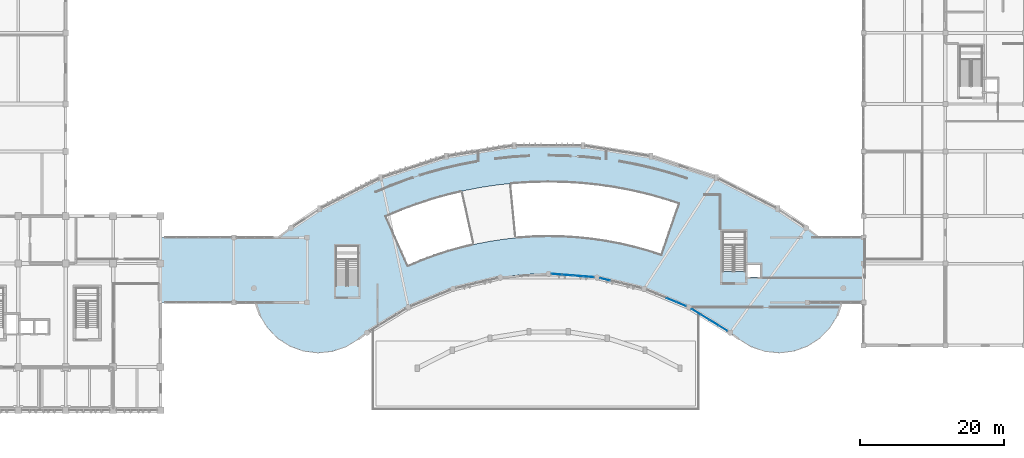
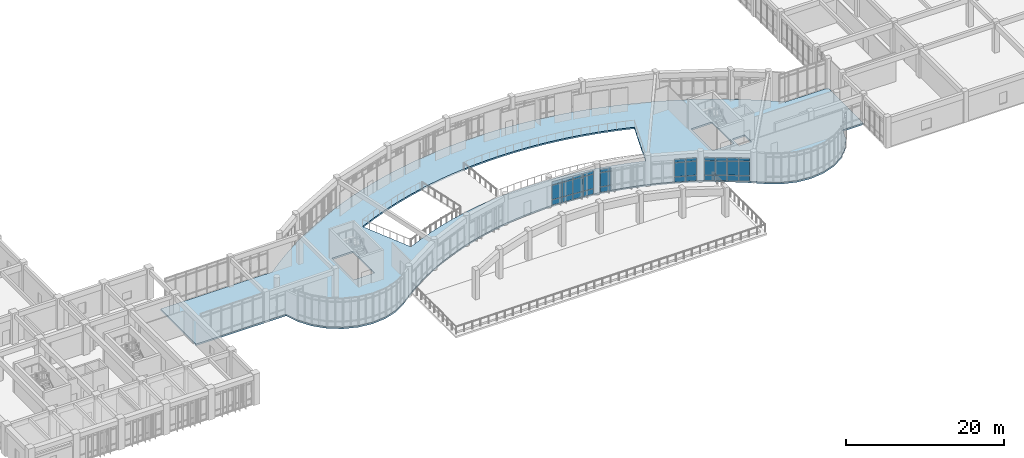
# One storey, part 40 of 65: 33 plates, 1 slab, 6 elements without a shape of their own.
"""IFC4 building model written with IfcOpenShell, lengths in metres."""

from ifc_helpers import new_model, si_unit, direction, frame, origin, origin_2d, place, context, subcontext, project, spatial, polyline, rectangle, outline, extrude, material, layer, layer_set, type_object, element, aggregate, save


model = new_model("IFC4")

# Units and contexts
model_context = context("Model", 3, precision=1e-05, world=origin(), true_north=direction((0.0, 1.0)))
body_context = subcontext(model_context, "Body", "Model", "MODEL_VIEW")
ifc_project = project(units=[si_unit("LENGTHUNIT", "METRE"), si_unit("AREAUNIT", "SQUARE_METRE"), si_unit("VOLUMEUNIT", "CUBIC_METRE"), si_unit("PLANEANGLEUNIT", "RADIAN"), si_unit("MASSUNIT", "GRAM", prefix="KILO")], contexts=[model_context])

# Site, building, storey
site_placement = place(None, origin())
site = spatial("IfcSite", under=ifc_project, at=site_placement, CompositionType="ELEMENT")
building_placement = place(site_placement, origin())
building = spatial("IfcBuilding", under=site, at=building_placement, Name="Miralva Faculty of Natural Sciences", CompositionType="ELEMENT")
storey_placement = place(building_placement, frame((0.0, 0.0, 10.199951171875)))
storey = spatial("IfcBuildingStorey", under=building, at=storey_placement, Name="L02", CompositionType="ELEMENT", Elevation=10.199951171875)

# Curtain wall, plates
ifc_material_1 = material(Name="Laminated solar-control glass", Category="glass")
ifc_layer_1 = layer(ifc_material_1, 0.179931640625, Name="CW-ARC-L01")
ifc_layer_set_1 = layer_set([ifc_layer_1], Name="Laminated solar-control glass")
curtain_wall_type = type_object("IfcCurtainWallType", Name="CW-ARC-L01", PredefinedType="USERDEFINED", material=ifc_layer_set_1)
curtain_wall_1_placement = place(storey_placement, origin())
curtain_wall_1 = element("IfcCurtainWall", 1, at=curtain_wall_1_placement, inside=storey, type_object=curtain_wall_type, Name="Curtain wall CW-02 L02-69", ObjectType="UNITISED CURTAIN WALL", PredefinedType="USERDEFINED")
ifc_layer_2 = layer(ifc_material_1, 0.028076171875, Name="PNL-P01")
ifc_layer_set_2 = layer_set([ifc_layer_2], Name="Laminated solar-control glass")
plate_type = type_object("IfcPlateType", Name="PNL-P01", PredefinedType="CURTAIN_PANEL", material=ifc_layer_set_2)
plate_1_placement = place(storey_placement, frame((91.144775390625, 21.909912109375, 0.06494140625), z_axis=(0.0, 0.0, 1.0), x_axis=(0.99691711744, -0.078461843942, 0.0)))
plate_1 = element("IfcPlate", 2, at=plate_1_placement, type_object=plate_type, Name="CW-02 panel 1.1", PredefinedType="CURTAIN_PANEL", context=body_context, shape_type="SweptSolid", body=[
    extrude(rectangle(XDim=1.39697265625, YDim=0.028076171875, at=origin_2d()), origin(), (0.0, 0.0, 1.0), 0.802490234375),
])
plate_2_placement = place(storey_placement, frame((91.144775390625, 21.909912109375, 0.9326171875), z_axis=(0.0, 0.0, 1.0), x_axis=(0.99691711744, -0.078461843942, 0.0)))
plate_2 = element("IfcPlate", 3, at=plate_2_placement, type_object=plate_type, Name="CW-02 panel 1.2", PredefinedType="CURTAIN_PANEL", context=body_context, shape_type="SweptSolid", body=[
    extrude(rectangle(XDim=1.39697265625, YDim=0.028076171875, at=origin_2d()), origin(), (0.0, 0.0, 1.0), 2.18994140625),
])
plate_3_placement = place(storey_placement, frame((91.144775390625, 21.909912109375, 3.1875), z_axis=(0.0, 0.0, 1.0), x_axis=(0.99691711744, -0.078461843942, 0.0)))
plate_3 = element("IfcPlate", 4, at=plate_3_placement, type_object=plate_type, Name="CW-02 panel 1.3", PredefinedType="CURTAIN_PANEL", context=body_context, shape_type="SweptSolid", body=[
    extrude(rectangle(XDim=1.39697265625, YDim=0.028076171875, at=origin_2d()), origin(), (0.0, 0.0, 1.0), 0.50244140625),
])
plate_4_placement = place(storey_placement, frame((92.602294921875, 21.795166015625, 0.06494140625), z_axis=(0.0, 0.0, 1.0), x_axis=(0.99691711744, -0.078461843942, 0.0)))
plate_4 = element("IfcPlate", 5, at=plate_4_placement, type_object=plate_type, Name="CW-02 panel 2.1", PredefinedType="CURTAIN_PANEL", context=body_context, shape_type="SweptSolid", body=[
    extrude(rectangle(XDim=1.39697265625, YDim=0.028076171875, at=origin_2d()), origin(), (0.0, 0.0, 1.0), 0.802490234375),
])
plate_5_placement = place(storey_placement, frame((92.602294921875, 21.795166015625, 0.9326171875), z_axis=(0.0, 0.0, 1.0), x_axis=(0.99691711744, -0.078461843942, 0.0)))
plate_5 = element("IfcPlate", 6, at=plate_5_placement, type_object=plate_type, Name="CW-02 panel 2.2", PredefinedType="CURTAIN_PANEL", context=body_context, shape_type="SweptSolid", body=[
    extrude(rectangle(XDim=1.39697265625, YDim=0.028076171875, at=origin_2d()), origin(), (0.0, 0.0, 1.0), 2.18994140625),
])
plate_6_placement = place(storey_placement, frame((92.602294921875, 21.795166015625, 3.1875), z_axis=(0.0, 0.0, 1.0), x_axis=(0.99691711744, -0.078461843942, 0.0)))
plate_6 = element("IfcPlate", 7, at=plate_6_placement, type_object=plate_type, Name="CW-02 panel 2.3", PredefinedType="CURTAIN_PANEL", context=body_context, shape_type="SweptSolid", body=[
    extrude(rectangle(XDim=1.39697265625, YDim=0.028076171875, at=origin_2d()), origin(), (0.0, 0.0, 1.0), 0.50244140625),
])
aggregate(curtain_wall_1, [plate_1, plate_2, plate_3, plate_4, plate_5, plate_6])

curtain_wall_2_placement = place(storey_placement, origin())
curtain_wall_2 = element("IfcCurtainWall", 8, at=curtain_wall_2_placement, inside=storey, type_object=curtain_wall_type, Name="Curtain wall CW-02 L02-70", ObjectType="UNITISED CURTAIN WALL", PredefinedType="USERDEFINED")
plate_7_placement = place(storey_placement, frame((94.12060546875, 21.67578125, 0.06494140625), z_axis=(0.0, 0.0, 1.0), x_axis=(0.996917153831, -0.078461381568, 0.0)))
plate_7 = element("IfcPlate", 9, at=plate_7_placement, type_object=plate_type, Name="CW-02 panel 1.1", PredefinedType="CURTAIN_PANEL", context=body_context, shape_type="SweptSolid", body=[
    extrude(rectangle(XDim=1.3994140625, YDim=0.028076171875, at=origin_2d()), origin(), (0.0, 0.0, 1.0), 0.802490234375),
])
plate_8_placement = place(storey_placement, frame((94.12060546875, 21.67578125, 0.9326171875), z_axis=(0.0, 0.0, 1.0), x_axis=(0.996917153831, -0.078461381568, 0.0)))
plate_8 = element("IfcPlate", 10, at=plate_8_placement, type_object=plate_type, Name="CW-02 panel 1.2", PredefinedType="CURTAIN_PANEL", context=body_context, shape_type="SweptSolid", body=[
    extrude(rectangle(XDim=1.3994140625, YDim=0.028076171875, at=origin_2d()), origin(), (0.0, 0.0, 1.0), 2.18994140625),
])
plate_9_placement = place(storey_placement, frame((94.12060546875, 21.67578125, 3.1875), z_axis=(0.0, 0.0, 1.0), x_axis=(0.996917153831, -0.078461381568, 0.0)))
plate_9 = element("IfcPlate", 11, at=plate_9_placement, type_object=plate_type, Name="CW-02 panel 1.3", PredefinedType="CURTAIN_PANEL", context=body_context, shape_type="SweptSolid", body=[
    extrude(rectangle(XDim=1.3994140625, YDim=0.028076171875, at=origin_2d()), origin(), (0.0, 0.0, 1.0), 0.50244140625),
])
plate_10_placement = place(storey_placement, frame((95.58056640625, 21.560791015625, 0.06494140625), z_axis=(0.0, 0.0, 1.0), x_axis=(0.996917153831, -0.078461381568, 0.0)))
plate_10 = element("IfcPlate", 12, at=plate_10_placement, type_object=plate_type, Name="CW-02 panel 2.1", PredefinedType="CURTAIN_PANEL", context=body_context, shape_type="SweptSolid", body=[
    extrude(rectangle(XDim=1.3994140625, YDim=0.028076171875, at=origin_2d()), origin(), (0.0, 0.0, 1.0), 0.802490234375),
])
plate_11_placement = place(storey_placement, frame((95.58056640625, 21.560791015625, 0.9326171875), z_axis=(0.0, 0.0, 1.0), x_axis=(0.996917153831, -0.078461381568, 0.0)))
plate_11 = element("IfcPlate", 13, at=plate_11_placement, type_object=plate_type, Name="CW-02 panel 2.2", PredefinedType="CURTAIN_PANEL", context=body_context, shape_type="SweptSolid", body=[
    extrude(rectangle(XDim=1.3994140625, YDim=0.028076171875, at=origin_2d()), origin(), (0.0, 0.0, 1.0), 2.18994140625),
])
plate_12_placement = place(storey_placement, frame((95.58056640625, 21.560791015625, 3.1875), z_axis=(0.0, 0.0, 1.0), x_axis=(0.996917153831, -0.078461381568, 0.0)))
plate_12 = element("IfcPlate", 14, at=plate_12_placement, type_object=plate_type, Name="CW-02 panel 2.3", PredefinedType="CURTAIN_PANEL", context=body_context, shape_type="SweptSolid", body=[
    extrude(rectangle(XDim=1.3994140625, YDim=0.028076171875, at=origin_2d()), origin(), (0.0, 0.0, 1.0), 0.50244140625),
])
aggregate(curtain_wall_2, [plate_7, plate_8, plate_9, plate_10, plate_11, plate_12])

curtain_wall_3_placement = place(storey_placement, origin())
curtain_wall_3 = element("IfcCurtainWall", 15, at=curtain_wall_3_placement, inside=storey, type_object=curtain_wall_type, Name="Curtain wall CW-02 L02-71", ObjectType="UNITISED CURTAIN WALL", PredefinedType="USERDEFINED")
plate_13_placement = place(storey_placement, frame((97.8505859375, 21.20068359375, 0.06494140625), z_axis=(0.0, 0.0, 1.0), x_axis=(0.972367185898, -0.233456753574, 0.0)))
plate_13 = element("IfcPlate", 16, at=plate_13_placement, type_object=plate_type, Name="CW-02 panel 1.1", PredefinedType="CURTAIN_PANEL", context=body_context, shape_type="SweptSolid", body=[
    extrude(rectangle(XDim=1.391845703125, YDim=0.028076171875, at=origin_2d()), origin(), (0.0, 0.0, 1.0), 0.802490234375),
])
plate_14_placement = place(storey_placement, frame((97.8505859375, 21.20068359375, 0.9326171875), z_axis=(0.0, 0.0, 1.0), x_axis=(0.972367185898, -0.233456753574, 0.0)))
plate_14 = element("IfcPlate", 17, at=plate_14_placement, type_object=plate_type, Name="CW-02 panel 1.2", PredefinedType="CURTAIN_PANEL", context=body_context, shape_type="SweptSolid", body=[
    extrude(rectangle(XDim=1.391845703125, YDim=0.028076171875, at=origin_2d()), origin(), (0.0, 0.0, 1.0), 2.139892578125),
])
plate_15_placement = place(storey_placement, frame((97.8505859375, 21.20068359375, 3.1376953125), z_axis=(0.0, 0.0, 1.0), x_axis=(0.972367185898, -0.233456753574, 0.0)))
plate_15 = element("IfcPlate", 18, at=plate_15_placement, type_object=plate_type, Name="CW-02 panel 1.3", PredefinedType="CURTAIN_PANEL", context=body_context, shape_type="SweptSolid", body=[
    extrude(rectangle(XDim=1.391845703125, YDim=0.028076171875, at=origin_2d()), origin(), (0.0, 0.0, 1.0), 0.50244140625),
])
aggregate(curtain_wall_3, [plate_13, plate_14, plate_15])

curtain_wall_4_placement = place(storey_placement, origin())
curtain_wall_4 = element("IfcCurtainWall", 19, at=curtain_wall_4_placement, inside=storey, type_object=curtain_wall_type, Name="Curtain wall CW-02 L02-74", ObjectType="UNITISED CURTAIN WALL", PredefinedType="USERDEFINED")
plate_16_placement = place(storey_placement, frame((107.099609375, 18.316650390625, 0.06494140625), z_axis=(0.0, 0.0, 1.0), x_axis=(0.923874540591, -0.382695483705, 0.0)))
plate_16 = element("IfcPlate", 20, at=plate_16_placement, type_object=plate_type, Name="CW-02 panel 1.1", PredefinedType="CURTAIN_PANEL", context=body_context, shape_type="SweptSolid", body=[
    extrude(rectangle(XDim=1.38427734375, YDim=0.028076171875, at=origin_2d()), origin(), (0.0, 0.0, 1.0), 0.802490234375),
])
plate_17_placement = place(storey_placement, frame((107.099609375, 18.316650390625, 0.9326171875), z_axis=(0.0, 0.0, 1.0), x_axis=(0.923874540591, -0.382695483705, 0.0)))
plate_17 = element("IfcPlate", 21, at=plate_17_placement, type_object=plate_type, Name="CW-02 panel 1.2", PredefinedType="CURTAIN_PANEL", context=body_context, shape_type="SweptSolid", body=[
    extrude(rectangle(XDim=1.38427734375, YDim=0.028076171875, at=origin_2d()), origin(), (0.0, 0.0, 1.0), 2.139892578125),
])
plate_18_placement = place(storey_placement, frame((107.099609375, 18.316650390625, 3.1376953125), z_axis=(0.0, 0.0, 1.0), x_axis=(0.923874540591, -0.382695483705, 0.0)))
plate_18 = element("IfcPlate", 22, at=plate_18_placement, type_object=plate_type, Name="CW-02 panel 1.3", PredefinedType="CURTAIN_PANEL", context=body_context, shape_type="SweptSolid", body=[
    extrude(rectangle(XDim=1.38427734375, YDim=0.028076171875, at=origin_2d()), origin(), (0.0, 0.0, 1.0), 0.50244140625),
])
plate_19_placement = place(storey_placement, frame((108.438720703125, 17.761962890625, 0.06494140625), z_axis=(0.0, 0.0, 1.0), x_axis=(0.923874540591, -0.382695483705, 0.0)))
plate_19 = element("IfcPlate", 23, at=plate_19_placement, type_object=plate_type, Name="CW-02 panel 2.1", PredefinedType="CURTAIN_PANEL", context=body_context, shape_type="SweptSolid", body=[
    extrude(rectangle(XDim=1.38427734375, YDim=0.028076171875, at=origin_2d()), origin(), (0.0, 0.0, 1.0), 0.802490234375),
])
plate_20_placement = place(storey_placement, frame((108.438720703125, 17.761962890625, 0.9326171875), z_axis=(0.0, 0.0, 1.0), x_axis=(0.923874540591, -0.382695483705, 0.0)))
plate_20 = element("IfcPlate", 24, at=plate_20_placement, type_object=plate_type, Name="CW-02 panel 2.2", PredefinedType="CURTAIN_PANEL", context=body_context, shape_type="SweptSolid", body=[
    extrude(rectangle(XDim=1.38427734375, YDim=0.028076171875, at=origin_2d()), origin(), (0.0, 0.0, 1.0), 2.139892578125),
])
plate_21_placement = place(storey_placement, frame((108.438720703125, 17.761962890625, 3.1376953125), z_axis=(0.0, 0.0, 1.0), x_axis=(0.923874540591, -0.382695483705, 0.0)))
plate_21 = element("IfcPlate", 25, at=plate_21_placement, type_object=plate_type, Name="CW-02 panel 2.3", PredefinedType="CURTAIN_PANEL", context=body_context, shape_type="SweptSolid", body=[
    extrude(rectangle(XDim=1.38427734375, YDim=0.028076171875, at=origin_2d()), origin(), (0.0, 0.0, 1.0), 0.50244140625),
])
aggregate(curtain_wall_4, [plate_16, plate_17, plate_18, plate_19, plate_20, plate_21])

curtain_wall_5_placement = place(storey_placement, origin())
curtain_wall_5 = element("IfcCurtainWall", 26, at=curtain_wall_5_placement, inside=storey, type_object=curtain_wall_type, Name="Curtain wall CW-02 L02-75", ObjectType="UNITISED CURTAIN WALL", PredefinedType="USERDEFINED")
plate_22_placement = place(storey_placement, frame((110.5263671875, 16.697509765625, 0.06494140625), z_axis=(0.0, 0.0, 1.0), x_axis=(0.852649987617, -0.522482534269, 0.0)))
plate_22 = element("IfcPlate", 27, at=plate_22_placement, type_object=plate_type, Name="CW-02 panel 1.1", PredefinedType="CURTAIN_PANEL", context=body_context, shape_type="SweptSolid", body=[
    extrude(rectangle(XDim=1.376953125, YDim=0.028076171875, at=origin_2d()), origin(), (0.0, 0.0, 1.0), 0.802490234375),
])
plate_23_placement = place(storey_placement, frame((110.5263671875, 16.697509765625, 0.9326171875), z_axis=(0.0, 0.0, 1.0), x_axis=(0.852649987617, -0.522482534269, 0.0)))
plate_23 = element("IfcPlate", 28, at=plate_23_placement, type_object=plate_type, Name="CW-02 panel 1.2", PredefinedType="CURTAIN_PANEL", context=body_context, shape_type="SweptSolid", body=[
    extrude(rectangle(XDim=1.376953125, YDim=0.028076171875, at=origin_2d()), origin(), (0.0, 0.0, 1.0), 2.139892578125),
])
plate_24_placement = place(storey_placement, frame((110.5263671875, 16.697509765625, 3.1376953125), z_axis=(0.0, 0.0, 1.0), x_axis=(0.852649987617, -0.522482534269, 0.0)))
plate_24 = element("IfcPlate", 29, at=plate_24_placement, type_object=plate_type, Name="CW-02 panel 1.3", PredefinedType="CURTAIN_PANEL", context=body_context, shape_type="SweptSolid", body=[
    extrude(rectangle(XDim=1.376953125, YDim=0.028076171875, at=origin_2d()), origin(), (0.0, 0.0, 1.0), 0.50244140625),
])
plate_25_placement = place(storey_placement, frame((111.755859375, 15.944091796875, 0.06494140625), z_axis=(0.0, 0.0, 1.0), x_axis=(0.852649987617, -0.522482534269, 0.0)))
plate_25 = element("IfcPlate", 30, at=plate_25_placement, type_object=plate_type, Name="CW-02 panel 2.1", PredefinedType="CURTAIN_PANEL", context=body_context, shape_type="SweptSolid", body=[
    extrude(rectangle(XDim=1.376953125, YDim=0.028076171875, at=origin_2d()), origin(), (0.0, 0.0, 1.0), 0.802490234375),
])
plate_26_placement = place(storey_placement, frame((111.755859375, 15.944091796875, 0.9326171875), z_axis=(0.0, 0.0, 1.0), x_axis=(0.852649987617, -0.522482534269, 0.0)))
plate_26 = element("IfcPlate", 31, at=plate_26_placement, type_object=plate_type, Name="CW-02 panel 2.2", PredefinedType="CURTAIN_PANEL", context=body_context, shape_type="SweptSolid", body=[
    extrude(rectangle(XDim=1.376953125, YDim=0.028076171875, at=origin_2d()), origin(), (0.0, 0.0, 1.0), 2.139892578125),
])
plate_27_placement = place(storey_placement, frame((111.755859375, 15.944091796875, 3.1376953125), z_axis=(0.0, 0.0, 1.0), x_axis=(0.852649987617, -0.522482534269, 0.0)))
plate_27 = element("IfcPlate", 32, at=plate_27_placement, type_object=plate_type, Name="CW-02 panel 2.3", PredefinedType="CURTAIN_PANEL", context=body_context, shape_type="SweptSolid", body=[
    extrude(rectangle(XDim=1.376953125, YDim=0.028076171875, at=origin_2d()), origin(), (0.0, 0.0, 1.0), 0.50244140625),
])
aggregate(curtain_wall_5, [plate_22, plate_23, plate_24, plate_25, plate_26, plate_27])

curtain_wall_6_placement = place(storey_placement, origin())
curtain_wall_6 = element("IfcCurtainWall", 33, at=curtain_wall_6_placement, inside=storey, type_object=curtain_wall_type, Name="Curtain wall CW-02 L02-76", ObjectType="UNITISED CURTAIN WALL", PredefinedType="USERDEFINED")
plate_28_placement = place(storey_placement, frame((113.037353515625, 15.15869140625, 0.06494140625), z_axis=(0.0, 0.0, 1.0), x_axis=(0.852646014098, -0.522489018681, 0.0)))
plate_28 = element("IfcPlate", 34, at=plate_28_placement, type_object=plate_type, Name="CW-02 panel 1.1", PredefinedType="CURTAIN_PANEL", context=body_context, shape_type="SweptSolid", body=[
    extrude(rectangle(XDim=1.37939453125, YDim=0.028076171875, at=origin_2d()), origin(), (0.0, 0.0, 1.0), 0.802490234375),
])
plate_29_placement = place(storey_placement, frame((113.037353515625, 15.15869140625, 0.9326171875), z_axis=(0.0, 0.0, 1.0), x_axis=(0.852646014098, -0.522489018681, 0.0)))
plate_29 = element("IfcPlate", 35, at=plate_29_placement, type_object=plate_type, Name="CW-02 panel 1.2", PredefinedType="CURTAIN_PANEL", context=body_context, shape_type="SweptSolid", body=[
    extrude(rectangle(XDim=1.37939453125, YDim=0.028076171875, at=origin_2d()), origin(), (0.0, 0.0, 1.0), 2.139892578125),
])
plate_30_placement = place(storey_placement, frame((113.037353515625, 15.15869140625, 3.1376953125), z_axis=(0.0, 0.0, 1.0), x_axis=(0.852646014098, -0.522489018681, 0.0)))
plate_30 = element("IfcPlate", 36, at=plate_30_placement, type_object=plate_type, Name="CW-02 panel 1.3", PredefinedType="CURTAIN_PANEL", context=body_context, shape_type="SweptSolid", body=[
    extrude(rectangle(XDim=1.37939453125, YDim=0.028076171875, at=origin_2d()), origin(), (0.0, 0.0, 1.0), 0.50244140625),
])
plate_31_placement = place(storey_placement, frame((114.268798828125, 14.404052734375, 0.06494140625), z_axis=(0.0, 0.0, 1.0), x_axis=(0.852646014098, -0.522489018681, 0.0)))
plate_31 = element("IfcPlate", 37, at=plate_31_placement, type_object=plate_type, Name="CW-02 panel 2.1", PredefinedType="CURTAIN_PANEL", context=body_context, shape_type="SweptSolid", body=[
    extrude(rectangle(XDim=1.37939453125, YDim=0.028076171875, at=origin_2d()), origin(), (0.0, 0.0, 1.0), 0.802490234375),
])
plate_32_placement = place(storey_placement, frame((114.268798828125, 14.404052734375, 0.9326171875), z_axis=(0.0, 0.0, 1.0), x_axis=(0.852646014098, -0.522489018681, 0.0)))
plate_32 = element("IfcPlate", 38, at=plate_32_placement, type_object=plate_type, Name="CW-02 panel 2.2", PredefinedType="CURTAIN_PANEL", context=body_context, shape_type="SweptSolid", body=[
    extrude(rectangle(XDim=1.37939453125, YDim=0.028076171875, at=origin_2d()), origin(), (0.0, 0.0, 1.0), 2.139892578125),
])
plate_33_placement = place(storey_placement, frame((114.268798828125, 14.404052734375, 3.1376953125), z_axis=(0.0, 0.0, 1.0), x_axis=(0.852646014098, -0.522489018681, 0.0)))
plate_33 = element("IfcPlate", 39, at=plate_33_placement, type_object=plate_type, Name="CW-02 panel 2.3", PredefinedType="CURTAIN_PANEL", context=body_context, shape_type="SweptSolid", body=[
    extrude(rectangle(XDim=1.37939453125, YDim=0.028076171875, at=origin_2d()), origin(), (0.0, 0.0, 1.0), 0.50244140625),
])
aggregate(curtain_wall_6, [plate_28, plate_29, plate_30, plate_31, plate_32, plate_33])

# Slab
ifc_material_2 = material(Name="Concrete C40/50", Category="concrete")
ifc_layer_3 = layer(ifc_material_2, 0.239990234375, Name="SL-FL03")
ifc_layer_set_3 = layer_set([ifc_layer_3], Name="Concrete C40/50")
slab_type = type_object("IfcSlabType", Name="SL-FL03", PredefinedType="FLOOR", material=ifc_layer_set_3)
slab_placement = place(storey_placement, frame((0.0, 0.0, -0.239990234375)))
element("IfcSlab", 40, at=slab_placement, inside=storey, type_object=slab_type, Name="V3 L02 floor slab", PredefinedType="FLOOR", context=body_context, shape_type="SweptSolid", body=[
    extrude(outline(polyline([(36.0, 27.0), (52.37451171875, 27.0), (52.444580078125, 27.068603515625), (54.34814453125, 28.496826171875), (56.3056640625, 29.849609375), (58.314697265625, 31.125244140625), (60.371826171875, 32.3212890625), (62.47412109375, 33.436279296875), (64.618408203125, 34.468505859375), (66.801025390625, 35.41650390625), (69.01904296875, 36.2783203125), (71.26904296875, 37.052978515625), (73.547607421875, 37.739501953125), (75.851318359375, 38.33642578125), (78.17626953125, 38.843017578125), (80.519287109375, 39.2587890625), (82.876953125, 39.582763671875), (85.2451171875, 39.814453125), (87.620849609375, 39.95361328125), (90.0, 40.0), (92.379150390625, 39.95361328125), (94.7548828125, 39.814453125), (97.123046875, 39.582763671875), (99.480712890625, 39.2587890625), (101.82373046875, 38.843017578125), (104.148681640625, 38.33642578125), (106.452392578125, 37.739501953125), (108.73095703125, 37.052978515625), (110.98095703125, 36.2783203125), (113.198974609375, 35.41650390625), (115.381591796875, 34.468505859375), (117.52587890625, 33.436279296875), (119.628173828125, 32.3212890625), (121.685302734375, 31.125244140625), (123.6943359375, 29.849609375), (125.65185546875, 28.496826171875), (127.555419921875, 27.068603515625), (127.62548828125, 27.0), (133.800048828125, 27.0), (133.800048828125, 18.0), (130.78759765625, 18.0), (130.808349609375, 18.0615234375), (130.16162109375, 16.152587890625), (129.1064453125, 14.435546875), (127.69580078125, 12.996337890625), (126.0, 11.9072265625), (124.1044921875, 11.22265625), (122.104248046875, 10.97705078125), (120.099365234375, 11.1826171875), (118.1904296875, 11.829345703125), (116.473388671875, 12.884521484375), (115.131591796875, 13.89111328125), (113.751708984375, 14.844970703125), (112.33544921875, 15.743896484375), (110.885498046875, 16.587158203125), (109.403564453125, 17.373291015625), (107.89208984375, 18.100830078125), (106.353515625, 18.768798828125), (104.789794921875, 19.37646484375), (103.20361328125, 19.922607421875), (101.59765625, 20.406494140625), (99.9736328125, 20.827392578125), (98.334716796875, 21.1845703125), (96.68310546875, 21.4775390625), (95.021240234375, 21.705810546875), (93.351806640625, 21.869140625), (91.677001953125, 21.96728515625), (90.0, 22.0), (88.322998046875, 21.96728515625), (86.648193359375, 21.869140625), (84.978759765625, 21.705810546875), (83.31689453125, 21.4775390625), (81.665283203125, 21.1845703125), (80.0263671875, 20.827392578125), (78.40234375, 20.406494140625), (76.79638671875, 19.922607421875), (75.210205078125, 19.37646484375), (73.646484375, 18.768798828125), (72.10791015625, 18.100830078125), (70.596435546875, 17.373291015625), (69.114501953125, 16.587158203125), (67.66455078125, 15.743896484375), (66.248291015625, 14.844970703125), (64.868408203125, 13.89111328125), (63.526611328125, 12.884521484375), (61.8095703125, 11.829345703125), (59.900634765625, 11.1826171875), (57.895751953125, 10.97705078125), (55.8955078125, 11.22265625), (54.0, 11.9072265625), (52.30419921875, 12.996337890625), (50.8935546875, 14.435546875), (49.83837890625, 16.152587890625), (49.21240234375, 18.0), (36.0, 18.0), (36.0, 27.0)]), holes=[polyline([(117.324951171875, 22.324951171875), (114.22509765625, 22.324951171875), (114.22509765625, 27.824951171875), (117.324951171875, 27.824951171875), (117.324951171875, 22.324951171875)]), polyline([(119.449951171875, 21.52490234375), (117.64990234375, 21.52490234375), (117.64990234375, 23.27490234375), (119.449951171875, 23.27490234375), (119.449951171875, 21.52490234375)]), polyline([(63.52490234375, 20.324951171875), (60.425048828125, 20.324951171875), (60.425048828125, 25.824951171875), (63.52490234375, 25.824951171875), (63.52490234375, 20.324951171875)]), polyline([(70.395263671875, 23.032958984375), (67.30419921875, 29.975830078125), (69.448486328125, 30.87744140625), (71.62890625, 31.689208984375), (73.841064453125, 32.408935546875), (76.081298828125, 33.0361328125), (78.345703125, 33.5693359375), (80.63037109375, 34.0078125), (82.931396484375, 34.3505859375), (85.244384765625, 34.596923828125), (87.56591796875, 34.746826171875), (89.891845703125, 34.7998046875), (92.2177734375, 34.755859375), (94.539794921875, 34.614990234375), (96.85400390625, 34.37744140625), (99.15625, 34.043701171875), (101.442626953125, 33.6142578125), (103.708984375, 33.089599609375), (105.951904296875, 32.47119140625), (108.166748046875, 31.760009765625), (105.6923828125, 24.573974609375), (103.779052734375, 25.1884765625), (101.841796875, 25.72265625), (99.88427734375, 26.17578125), (97.9091796875, 26.546630859375), (95.92041015625, 26.8349609375), (93.92138671875, 27.040283203125), (91.915771484375, 27.161865234375), (89.906494140625, 27.199951171875), (87.8974609375, 27.154052734375), (85.89208984375, 27.024658203125), (83.89404296875, 26.811767578125), (81.906494140625, 26.515625), (79.932861328125, 26.136962890625), (77.976806640625, 25.676513671875), (76.041748046875, 25.134765625), (74.131103515625, 24.5126953125), (72.247802734375, 23.811767578125), (70.395263671875, 23.032958984375)])]), origin(), (0.0, 0.0, 1.0), 0.239990234375),
])

save(model, "model.ifc")
